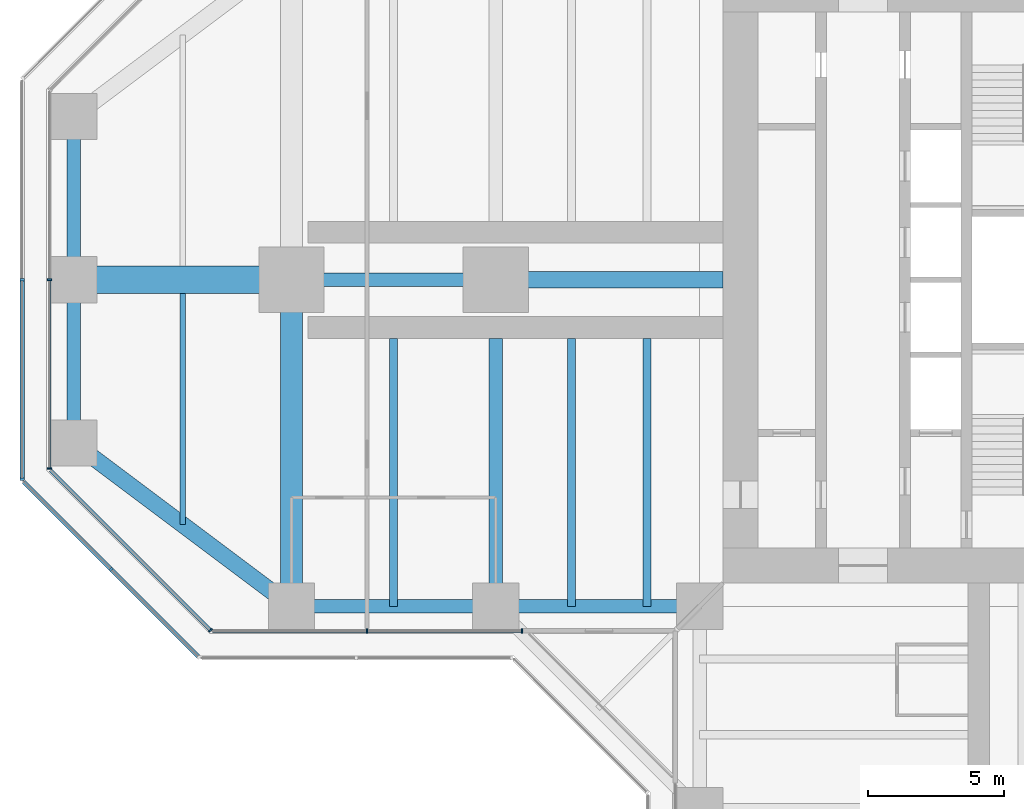
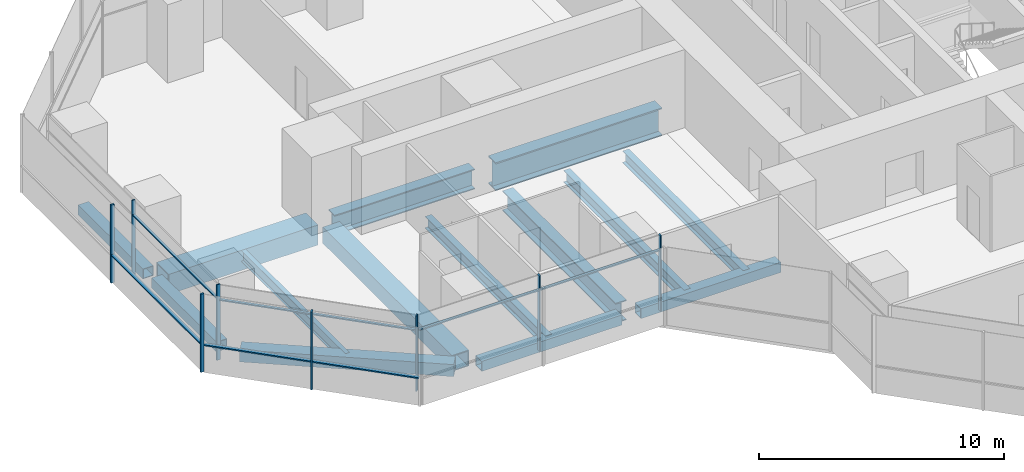
# One storey, part 3 of 19: 15 members, 14 beams, 5 elements without a shape of their own.
"""IFC4 building model written with IfcOpenShell, lengths in metres."""

from ifc_helpers import new_model, si_unit, direction, frame, origin, origin_2d, place, context, subcontext, project, spatial, rectangle, hollow_rectangle, i_section, extrude, material, material_profile, profile_set, type_object, element, aggregate, save


model = new_model("IFC4")

# Units and contexts
model_context = context("Model", 3, precision=1e-05, world=origin(), true_north=direction((0.0, 1.0)))
body_context = subcontext(model_context, "Body", "Model", "MODEL_VIEW")
ifc_project = project(units=[si_unit("LENGTHUNIT", "METRE"), si_unit("AREAUNIT", "SQUARE_METRE"), si_unit("VOLUMEUNIT", "CUBIC_METRE"), si_unit("PLANEANGLEUNIT", "RADIAN"), si_unit("MASSUNIT", "GRAM", prefix="KILO")], contexts=[model_context])

# Site, building, storey
site_placement = place(None, origin())
site = spatial("IfcSite", under=ifc_project, at=site_placement, CompositionType="ELEMENT")
building_placement = place(site_placement, origin())
building = spatial("IfcBuilding", under=site, at=building_placement, Name="Mizan Broadcast Tower", CompositionType="ELEMENT")
storey_placement = place(building_placement, frame((0.0, 0.0, 186.60009765625)))
storey = spatial("IfcBuildingStorey", under=building, at=storey_placement, Name="L43", CompositionType="ELEMENT", Elevation=186.60009765625)

# Beams
ifc_material_1 = material(Name="Steel S355", Category="steel")
ifc_material_profile_1 = material_profile(ifc_material_1, hollow_rectangle(XDim=0.5, YDim=0.5, WallThickness=0.030029296875, at=origin_2d()), Name="BOX 500x500x30")
ifc_profile_set_1 = profile_set([ifc_material_profile_1], Name="Steel S355")
beam_type_1 = type_object("IfcBeamType", Name="EDGE BEAM BOX 500x500x30", PredefinedType="SPANDREL", material=ifc_profile_set_1)
beam_1_placement = place(storey_placement, frame((-35.0, 5.639892578125, -0.380126953125), z_axis=(0.0, -1.0, 0.0), x_axis=(1.0, 0.0, 0.0)))
element("IfcBeam", 1, at=beam_1_placement, inside=storey, type_object=beam_type_1, Name="Edge beam BOX 500x500x30 L43 west arm", PredefinedType="SPANDREL", context=body_context, shape_type="SweptSolid", body=[
    extrude(hollow_rectangle(XDim=0.5, YDim=0.5, WallThickness=0.030029296875, at=origin_2d()), origin(), (0.0, 0.0, 1.0), 5.27978515625),
])
for number, where, z_axis, x_axis, name in (
    (2, (-12.449951171875, -12.0, -0.380126953125), (-1.0, 0.0, 0.0), (0.0, -1.0, 0.0), "Edge beam BOX 500x500x30 L43 west arm"),
    (3, (-19.949951171875, -12.0, -0.380126953125), (-1.0, 0.0, 0.0), (0.0, -1.0, 0.0), "Edge beam BOX 500x500x30 L43 west arm"),
):
    element("IfcBeam", number, at=place(storey_placement, frame(where, z_axis=z_axis, x_axis=x_axis)), inside=storey, type_object=beam_type_1, Name=name, PredefinedType="SPANDREL", context=body_context, shape_type="SweptSolid", body=[
        extrude(hollow_rectangle(XDim=0.5, YDim=0.5, WallThickness=0.030029296875, at=origin_2d()), origin(), (0.0, 0.0, 1.0), 6.60009765625),
    ])
beam_2_placement = place(storey_placement, frame((-35.0, -5.639892578125, -0.380126953125), z_axis=(0.0, 1.0, 0.0), x_axis=(-1.0, 0.0, 0.0)))
element("IfcBeam", 4, at=beam_2_placement, inside=storey, type_object=beam_type_1, Name="Edge beam BOX 500x500x30 L43 west arm", PredefinedType="SPANDREL", context=body_context, shape_type="SweptSolid", body=[
    extrude(hollow_rectangle(XDim=0.5, YDim=0.5, WallThickness=0.030029296875, at=origin_2d()), origin(), (0.0, 0.0, 1.0), 5.27978515625),
])
ifc_material_2 = material(Name="Steel S355", Category="steel")
ifc_material_profile_2 = material_profile(ifc_material_2, hollow_rectangle(XDim=0.60009765625, YDim=0.60009765625, WallThickness=0.030029296875, at=origin_2d()), Name="BOX 600x600x30")
ifc_profile_set_2 = profile_set([ifc_material_profile_2], Name="Steel S355")
beam_type_2 = type_object("IfcBeamType", Name="EDGE BEAM BOX 600x600x30", PredefinedType="SPANDREL", material=ifc_profile_set_2)
beam_3_placement = place(storey_placement, frame((-27.47998046875, -11.639892578125, -0.43017578125), z_axis=(-0.800013316712, 0.599982243973, 0.0), x_axis=(-0.599982243973, -0.800013316712, 0.0)))
element("IfcBeam", 5, at=beam_3_placement, inside=storey, type_object=beam_type_2, Name="Edge beam BOX 600x600x30 L43 west arm", PredefinedType="SPANDREL", context=body_context, shape_type="SweptSolid", body=[
    extrude(hollow_rectangle(XDim=0.60009765625, YDim=0.60009765625, WallThickness=0.030029296875, at=origin_2d()), origin(), (0.0, 0.0, 1.0), 8.7998046875),
])
ifc_material_3 = material(Name="Steel S460", Category="steel")
ifc_material_profile_3 = material_profile(ifc_material_3, hollow_rectangle(XDim=1.0, YDim=1.0, WallThickness=0.06005859375, at=origin_2d()), Name="BOX 1000x1000x60")
ifc_profile_set_3 = profile_set([ifc_material_profile_3], Name="Steel S460")
beam_type_3 = type_object("IfcBeamType", Name="GIRDER BOX 1000x1000x60", PredefinedType="BEAM", material=ifc_profile_set_3)
beam_4_placement = place(storey_placement, frame((-27.47998046875, 0.0, -0.630126953125), z_axis=(-1.0, 0.0, 0.0), x_axis=(0.0, -1.0, 0.0)))
element("IfcBeam", 6, at=beam_4_placement, inside=storey, type_object=beam_type_3, Name="Girder BOX 1000x1000x60 L43 west arm", PredefinedType="BEAM", context=body_context, shape_type="SweptSolid", body=[
    extrude(hollow_rectangle(XDim=1.0, YDim=1.0, WallThickness=0.06005859375, at=origin_2d()), origin(), (0.0, 0.0, 1.0), 7.0400390625),
])
ifc_material_4 = material(Name="Steel S460", Category="steel")
ifc_material_profile_4 = material_profile(ifc_material_4, hollow_rectangle(XDim=0.800048828125, YDim=0.800048828125, WallThickness=0.050048828125, at=origin_2d()), Name="BOX 800x800x50")
ifc_profile_set_4 = profile_set([ifc_material_profile_4], Name="Steel S460")
beam_type_4 = type_object("IfcBeamType", Name="GIRDER BOX 800x800x50", PredefinedType="BEAM", material=ifc_profile_set_4)
beam_5_placement = place(storey_placement, frame((-27.0, -11.280029296875, -0.530029296875), z_axis=(0.0, 1.0, 0.0), x_axis=(-1.0, 0.0, 0.0)))
element("IfcBeam", 7, at=beam_5_placement, inside=storey, type_object=beam_type_4, Name="Girder BOX 800x800x50 L43 west arm", PredefinedType="BEAM", context=body_context, shape_type="SweptSolid", body=[
    extrude(hollow_rectangle(XDim=0.800048828125, YDim=0.800048828125, WallThickness=0.050048828125, at=origin_2d()), origin(), (0.0, 0.0, 1.0), 10.56005859375),
])
ifc_material_5 = material(Name="Steel S460", Category="steel")
ifc_material_profile_5 = material_profile(ifc_material_5, i_section(OverallWidth=0.5, OverallDepth=1.0, WebThickness=0.02490234375, FlangeThickness=0.050048828125, at=origin_2d()), Name="WPG 1000x500")
ifc_profile_set_5 = profile_set([ifc_material_profile_5], Name="Steel S460")
beam_type_5 = type_object("IfcBeamType", Name="GIRDER WPG 1000x500", PredefinedType="BEAM", material=ifc_profile_set_5)
beam_6_placement = place(storey_placement, frame((-19.949951171875, 0.0, -0.630126953125), z_axis=(-1.0, 0.0, 0.0), x_axis=(0.0, -1.0, 0.0)))
element("IfcBeam", 8, at=beam_6_placement, inside=storey, type_object=beam_type_5, Name="Girder WPG 1000x500 L43 west arm", PredefinedType="BEAM", context=body_context, shape_type="SweptSolid", body=[
    extrude(i_section(OverallWidth=0.5, OverallDepth=1.0, WebThickness=0.02490234375, FlangeThickness=0.050048828125, at=origin_2d()), origin(), (0.0, 0.0, 1.0), 6.60009765625),
])
beam_7_placement = place(storey_placement, frame((-19.5, -11.408935546875, -0.630126953125), z_axis=(0.0, 1.0, 0.0), x_axis=(-1.0, 0.0, 0.0)))
element("IfcBeam", 9, at=beam_7_placement, inside=storey, type_object=beam_type_5, Name="Girder WPG 1000x500 L43 west arm", PredefinedType="BEAM", context=body_context, shape_type="SweptSolid", body=[
    extrude(i_section(OverallWidth=0.5, OverallDepth=1.0, WebThickness=0.02490234375, FlangeThickness=0.050048828125, at=origin_2d()), origin(), (0.0, 0.0, 1.0), 9.259033203125),
])
ifc_material_6 = material(Name="Steel S460", Category="steel")
ifc_material_profile_6 = material_profile(ifc_material_6, i_section(OverallWidth=0.60009765625, OverallDepth=1.39990234375, WebThickness=0.02490234375, FlangeThickness=0.06005859375, at=origin_2d()), Name="WPG 1400x600")
ifc_profile_set_6 = profile_set([ifc_material_profile_6], Name="Steel S460")
beam_type_6 = type_object("IfcBeamType", Name="GIRDER WPG 1400x600", PredefinedType="BEAM", material=ifc_profile_set_6)
beam_8_placement = place(storey_placement, frame((-11.14990234375, 0.0, -0.830078125), z_axis=(-1.0, 0.0, 0.0), x_axis=(0.0, -1.0, 0.0)))
element("IfcBeam", 10, at=beam_8_placement, inside=storey, type_object=beam_type_6, Name="Girder WPG 1400x600 L43 west arm", PredefinedType="BEAM", context=body_context, shape_type="SweptSolid", body=[
    extrude(i_section(OverallWidth=0.60009765625, OverallDepth=1.39990234375, WebThickness=0.02490234375, FlangeThickness=0.06005859375, at=origin_2d()), origin(), (0.0, 0.0, 1.0), 7.84912109375),
])

# Curtain wall, members
ifc_material_7 = material(Name="Aluminium framed glazing", Category="aluminium")
curtain_wall_type_1 = type_object("IfcCurtainWallType", Name="INNER SKIN MID ZONE", PredefinedType="USERDEFINED", material=ifc_material_7)
curtain_wall_1_placement = place(storey_placement, origin())
curtain_wall_1 = element("IfcCurtainWall", 11, at=curtain_wall_1_placement, inside=storey, type_object=curtain_wall_type_1, Name="Inner skin mid zone L43 W end", ObjectType="INNER SKIN MID ZONE", PredefinedType="USERDEFINED")
ifc_material_8 = material(Name="Aluminium, pale anodised", Category="aluminium")
ifc_material_profile_7 = material_profile(ifc_material_8, rectangle(XDim=0.159912109375, YDim=0.06005859375, at=origin_2d()), Name="MULLION 160x60")
ifc_profile_set_7 = profile_set([ifc_material_profile_7], Name="Aluminium, pale anodised")
member_type_1 = type_object("IfcMemberType", Name="INNER SKIN MULLION 60x160", PredefinedType="MULLION", material=ifc_profile_set_7)
member_1_placement = place(storey_placement, frame((-35.89990234375, 0.0, 0.0), z_axis=(0.0, 0.0, 1.0), x_axis=(1.0, 0.0, 0.0)))
member_1 = element("IfcMember", 12, at=member_1_placement, type_object=member_type_1, Name="Inner skin mid zone L43 W end mullion 2", PredefinedType="MULLION", context=body_context, shape_type="SweptSolid", body=[
    extrude(rectangle(XDim=0.159912109375, YDim=0.06005859375, at=origin_2d()), origin(), (0.0, 0.0, 1.0), 3.77001953125),
])
member_2_placement = place(storey_placement, frame((-35.89990234375, -6.928466796875, 0.0), z_axis=(0.0, 0.0, 1.0), x_axis=(1.0, 0.0, 0.0)))
member_2 = element("IfcMember", 13, at=member_2_placement, type_object=member_type_1, Name="Inner skin mid zone L43 W end mullion 3", PredefinedType="MULLION", context=body_context, shape_type="SweptSolid", body=[
    extrude(rectangle(XDim=0.159912109375, YDim=0.06005859375, at=origin_2d()), origin(), (0.0, 0.0, 1.0), 3.77001953125),
])

# Curtain wall, member
curtain_wall_2_placement = place(storey_placement, origin())
curtain_wall_2 = element("IfcCurtainWall", 14, at=curtain_wall_2_placement, inside=storey, type_object=curtain_wall_type_1, Name="Inner skin mid zone L43 W chamfer", ObjectType="INNER SKIN MID ZONE", PredefinedType="USERDEFINED")
member_3_placement = place(storey_placement, frame((-29.979736328125, -12.87890625, 0.0), z_axis=(0.0, 0.0, 1.0), x_axis=(0.707106781187, 0.707106781187, 0.0)))
member_3 = element("IfcMember", 15, at=member_3_placement, type_object=member_type_1, Name="Inner skin mid zone L43 W chamfer mullion 2", PredefinedType="MULLION", context=body_context, shape_type="SweptSolid", body=[
    extrude(rectangle(XDim=0.159912109375, YDim=0.06005859375, at=origin_2d()), origin(), (0.0, 0.0, 1.0), 3.77001953125),
])

# Curtain wall, members
curtain_wall_3_placement = place(storey_placement, origin())
curtain_wall_3 = element("IfcCurtainWall", 16, at=curtain_wall_3_placement, inside=storey, type_object=curtain_wall_type_1, Name="Inner skin mid zone L43 W side", ObjectType="INNER SKIN MID ZONE", PredefinedType="USERDEFINED")
member_4_placement = place(storey_placement, frame((-24.229248046875, -12.89990234375, 0.0), z_axis=(0.0, 0.0, 1.0), x_axis=(0.0, 1.0, 0.0)))
member_4 = element("IfcMember", 17, at=member_4_placement, type_object=member_type_1, Name="Inner skin mid zone L43 W side mullion 2", PredefinedType="MULLION", context=body_context, shape_type="SweptSolid", body=[
    extrude(rectangle(XDim=0.159912109375, YDim=0.06005859375, at=origin_2d()), origin(), (0.0, 0.0, 1.0), 3.77001953125),
])
member_5_placement = place(storey_placement, frame((-18.530029296875, -12.89990234375, 0.0), z_axis=(0.0, 0.0, 1.0), x_axis=(0.0, 1.0, 0.0)))
member_5 = element("IfcMember", 18, at=member_5_placement, type_object=member_type_1, Name="Inner skin mid zone L43 W side mullion 3", PredefinedType="MULLION", context=body_context, shape_type="SweptSolid", body=[
    extrude(rectangle(XDim=0.159912109375, YDim=0.06005859375, at=origin_2d()), origin(), (0.0, 0.0, 1.0), 3.77001953125),
])

# Member
ifc_material_9 = material(Name="Aluminium, pale anodised", Category="aluminium")
ifc_material_profile_8 = material_profile(ifc_material_9, rectangle(XDim=0.1201171875, YDim=0.06005859375, at=origin_2d()), Name="TRANSOM 120x60")
ifc_profile_set_8 = profile_set([ifc_material_profile_8], Name="Aluminium, pale anodised")
member_type_2 = type_object("IfcMemberType", Name="INNER SKIN TRANSOM 60x120", PredefinedType="USERDEFINED", material=ifc_profile_set_8)
member_6_placement = place(storey_placement, frame((-35.89990234375, -0.030029296875, 3.02978515625), z_axis=(0.0, -1.0, 0.0), x_axis=(1.0, 0.0, 0.0)))
member_6 = element("IfcMember", 19, at=member_6_placement, type_object=member_type_2, Name="Inner skin mid zone L43 W end transom 2.1", ObjectType="TRANSOM", PredefinedType="USERDEFINED", context=body_context, shape_type="SweptSolid", body=[
    extrude(rectangle(XDim=0.1201171875, YDim=0.06005859375, at=origin_2d()), origin(), (0.0, 0.0, 1.0), 6.86865234375),
])

aggregate(curtain_wall_1, [member_1, member_2, member_6])

member_7_placement = place(storey_placement, frame((-35.857666015625, -7.0009765625, 3.02978515625), z_axis=(0.707106781187, -0.707106781187, 0.0), x_axis=(0.707106781187, 0.707106781187, 0.0)))
member_7 = element("IfcMember", 20, at=member_7_placement, type_object=member_type_2, Name="Inner skin mid zone L43 W chamfer transom 1.1", ObjectType="TRANSOM", PredefinedType="USERDEFINED", context=body_context, shape_type="SweptSolid", body=[
    extrude(rectangle(XDim=0.1201171875, YDim=0.06005859375, at=origin_2d()), origin(), (0.0, 0.0, 1.0), 8.28271484375),
])

aggregate(curtain_wall_2, [member_3, member_7])

member_8_placement = place(storey_placement, frame((-29.898681640625, -12.89990234375, 3.02978515625), z_axis=(1.0, 0.0, 0.0), x_axis=(0.0, 1.0, 0.0)))
member_8 = element("IfcMember", 21, at=member_8_placement, type_object=member_type_2, Name="Inner skin mid zone L43 W side transom 1.1", ObjectType="TRANSOM", PredefinedType="USERDEFINED", context=body_context, shape_type="SweptSolid", body=[
    extrude(rectangle(XDim=0.1201171875, YDim=0.06005859375, at=origin_2d()), origin(), (0.0, 0.0, 1.0), 5.639404296875),
])

member_9_placement = place(storey_placement, frame((-24.19921875, -12.89990234375, 3.02978515625), z_axis=(1.0, 0.0, 0.0), x_axis=(0.0, 1.0, 0.0)))
member_9 = element("IfcMember", 22, at=member_9_placement, type_object=member_type_2, Name="Inner skin mid zone L43 W side transom 2.1", ObjectType="TRANSOM", PredefinedType="USERDEFINED", context=body_context, shape_type="SweptSolid", body=[
    extrude(rectangle(XDim=0.1201171875, YDim=0.06005859375, at=origin_2d()), origin(), (0.0, 0.0, 1.0), 5.63916015625),
])

aggregate(curtain_wall_3, [member_4, member_5, member_8, member_9])

# Curtain wall, members
ifc_material_10 = material(Name="Aluminium framed glazing", Category="aluminium")
curtain_wall_type_2 = type_object("IfcCurtainWallType", Name="OUTER SKIN", PredefinedType="USERDEFINED", material=ifc_material_10)
curtain_wall_4_placement = place(storey_placement, origin())
curtain_wall_4 = element("IfcCurtainWall", 23, at=curtain_wall_4_placement, inside=storey, type_object=curtain_wall_type_2, Name="Outer skin L43 W end", ObjectType="OUTER SKIN", PredefinedType="USERDEFINED")
ifc_material_11 = material(Name="Aluminium, pale anodised", Category="aluminium")
ifc_material_profile_9 = material_profile(ifc_material_11, rectangle(XDim=0.159912109375, YDim=0.080078125, at=origin_2d()), Name="MULLION 160x80")
ifc_profile_set_9 = profile_set([ifc_material_profile_9], Name="Aluminium, pale anodised")
member_type_3 = type_object("IfcMemberType", Name="OUTER SKIN MULLION 80x160", PredefinedType="MULLION", material=ifc_profile_set_9)
member_10_placement = place(storey_placement, frame((-36.89990234375, 0.0, 0.0), z_axis=(0.0, 0.0, 1.0), x_axis=(1.0, 0.0, 0.0)))
member_10 = element("IfcMember", 24, at=member_10_placement, type_object=member_type_3, Name="Outer skin L43 W end mullion 2", PredefinedType="MULLION", context=body_context, shape_type="SweptSolid", body=[
    extrude(rectangle(XDim=0.159912109375, YDim=0.080078125, at=origin_2d()), origin(), (0.0, 0.0, 1.0), 3.89990234375),
])
member_11_placement = place(storey_placement, frame((-36.89990234375, -7.332763671875, 0.0), z_axis=(0.0, 0.0, 1.0), x_axis=(1.0, 0.0, 0.0)))
member_11 = element("IfcMember", 25, at=member_11_placement, type_object=member_type_3, Name="Outer skin L43 W end mullion 3", PredefinedType="MULLION", context=body_context, shape_type="SweptSolid", body=[
    extrude(rectangle(XDim=0.159912109375, YDim=0.080078125, at=origin_2d()), origin(), (0.0, 0.0, 1.0), 3.89990234375),
])

# Curtain wall, member
curtain_wall_5_placement = place(storey_placement, origin())
curtain_wall_5 = element("IfcCurtainWall", 26, at=curtain_wall_5_placement, inside=storey, type_object=curtain_wall_type_2, Name="Outer skin L43 W chamfer", ObjectType="OUTER SKIN", PredefinedType="USERDEFINED")
member_12_placement = place(storey_placement, frame((-33.636474609375, -10.636474609375, 0.0), z_axis=(0.0, 0.0, 1.0), x_axis=(0.707106781187, 0.707106781187, 0.0)))
member_12 = element("IfcMember", 27, at=member_12_placement, type_object=member_type_3, Name="Outer skin L43 W chamfer mullion 2", PredefinedType="MULLION", context=body_context, shape_type="SweptSolid", body=[
    extrude(rectangle(XDim=0.159912109375, YDim=0.080078125, at=origin_2d()), origin(), (0.0, 0.0, 1.0), 3.89990234375),
])

# Member
ifc_material_12 = material(Name="Aluminium, pale anodised", Category="aluminium")
ifc_material_profile_10 = material_profile(ifc_material_12, rectangle(XDim=0.159912109375, YDim=0.06005859375, at=origin_2d()), Name="TRANSOM 160x60")
ifc_profile_set_10 = profile_set([ifc_material_profile_10], Name="Aluminium, pale anodised")
member_type_4 = type_object("IfcMemberType", Name="OUTER SKIN TRANSOM 60x160", PredefinedType="USERDEFINED", material=ifc_profile_set_10)
member_13_placement = place(storey_placement, frame((-36.89990234375, -0.0400390625, 1.39990234375), z_axis=(0.0, -1.0, 0.0), x_axis=(1.0, 0.0, 0.0)))
member_13 = element("IfcMember", 28, at=member_13_placement, type_object=member_type_4, Name="Outer skin L43 W end transom 2.1", ObjectType="TRANSOM", PredefinedType="USERDEFINED", context=body_context, shape_type="SweptSolid", body=[
    extrude(rectangle(XDim=0.159912109375, YDim=0.06005859375, at=origin_2d()), origin(), (0.0, 0.0, 1.0), 7.252685546875),
])

aggregate(curtain_wall_4, [member_10, member_11, member_13])

member_14_placement = place(storey_placement, frame((-36.843505859375, -7.429443359375, 1.39990234375), z_axis=(0.707106781187, -0.707106781187, 0.0), x_axis=(0.707106781187, 0.707106781187, 0.0)))
member_14 = element("IfcMember", 29, at=member_14_placement, type_object=member_type_4, Name="Outer skin L43 W chamfer transom 1.1", ObjectType="TRANSOM", PredefinedType="USERDEFINED", context=body_context, shape_type="SweptSolid", body=[
    extrude(rectangle(XDim=0.159912109375, YDim=0.06005859375, at=origin_2d()), origin(), (0.0, 0.0, 1.0), 4.495361328125),
])

member_15_placement = place(storey_placement, frame((-33.608154296875, -10.664794921875, 1.39990234375), z_axis=(0.707106781187, -0.707106781187, 0.0), x_axis=(0.707106781187, 0.707106781187, 0.0)))
member_15 = element("IfcMember", 30, at=member_15_placement, type_object=member_type_4, Name="Outer skin L43 W chamfer transom 2.1", ObjectType="TRANSOM", PredefinedType="USERDEFINED", context=body_context, shape_type="SweptSolid", body=[
    extrude(rectangle(XDim=0.159912109375, YDim=0.06005859375, at=origin_2d()), origin(), (0.0, 0.0, 1.0), 4.495361328125),
])

aggregate(curtain_wall_5, [member_12, member_14, member_15])

# Beams
ifc_material_13 = material(Name="Steel S355", Category="steel")
ifc_material_profile_11 = material_profile(ifc_material_13, i_section(OverallWidth=0.300048828125, OverallDepth=0.590087890625, WebThickness=0.012939453125, FlangeThickness=0.02490234375, FilletRadius=0.027099609375, at=origin_2d()), Name="HEA 600")
ifc_profile_set_11 = profile_set([ifc_material_profile_11], Name="Steel S355")
beam_type_7 = type_object("IfcBeamType", Name="SECONDARY BEAM HEA 600", PredefinedType="JOIST", material=ifc_profile_set_11)
for number, where, z_axis, x_axis, name in (
    (31, (-13.933349609375, -12.0, -0.425048828125), (0.0, 1.0, 0.0), (-1.0, 0.0, 0.0), "Secondary beam HEA 600 L43 west arm"),
    (32, (-16.716552734375, -12.0, -0.425048828125), (0.0, 1.0, 0.0), (-1.0, 0.0, 0.0), "Secondary beam HEA 600 L43 west arm"),
    (33, (-23.25, -12.0, -0.425048828125), (0.0, 1.0, 0.0), (-1.0, 0.0, 0.0), "Secondary beam HEA 600 L43 west arm"),
):
    element("IfcBeam", number, at=place(storey_placement, frame(where, z_axis=z_axis, x_axis=x_axis)), inside=storey, type_object=beam_type_7, Name=name, PredefinedType="JOIST", context=body_context, shape_type="SweptSolid", body=[
        extrude(i_section(OverallWidth=0.300048828125, OverallDepth=0.590087890625, WebThickness=0.012939453125, FlangeThickness=0.02490234375, FilletRadius=0.027099609375, at=origin_2d()), origin(), (0.0, 0.0, 1.0), 9.85009765625),
    ])
ifc_material_14 = material(Name="Steel S355", Category="steel")
ifc_material_profile_12 = material_profile(ifc_material_14, i_section(OverallWidth=0.2099609375, OverallDepth=0.550048828125, WebThickness=0.010986328125, FlangeThickness=0.01708984375, FilletRadius=0.02392578125, at=origin_2d()), Name="IPE 550")
ifc_profile_set_12 = profile_set([ifc_material_profile_12], Name="Steel S355")
beam_type_8 = type_object("IfcBeamType", Name="SECONDARY BEAM IPE 550", PredefinedType="JOIST", material=ifc_profile_set_12)
beam_9_placement = place(storey_placement, frame((-31.0, -9.0, -0.405029296875), z_axis=(0.0, 1.0, 0.0), x_axis=(-1.0, 0.0, 0.0)))
element("IfcBeam", 34, at=beam_9_placement, inside=storey, type_object=beam_type_8, Name="Secondary beam IPE 550 L43 west arm", PredefinedType="JOIST", context=body_context, shape_type="SweptSolid", body=[
    extrude(i_section(OverallWidth=0.2099609375, OverallDepth=0.550048828125, WebThickness=0.010986328125, FlangeThickness=0.01708984375, FilletRadius=0.02392578125, at=origin_2d()), origin(), (0.0, 0.0, 1.0), 8.5),
])

save(model, "model.ifc")
